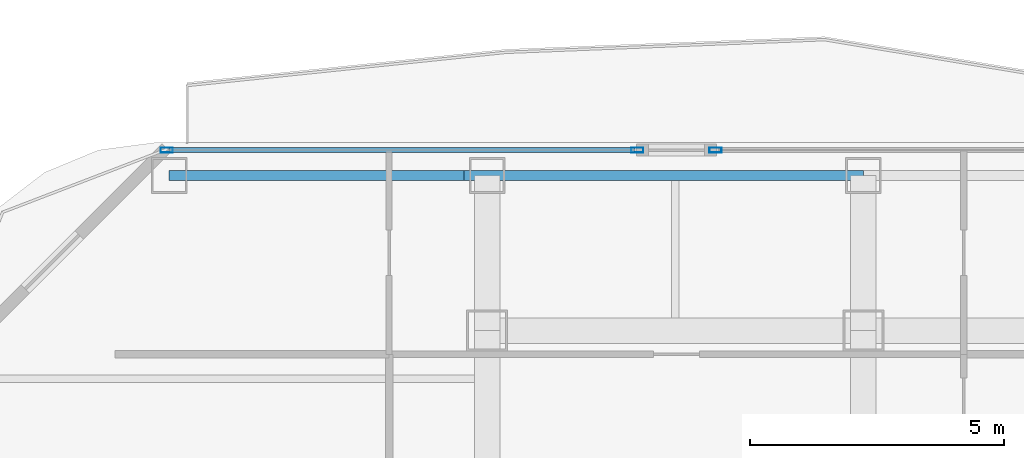
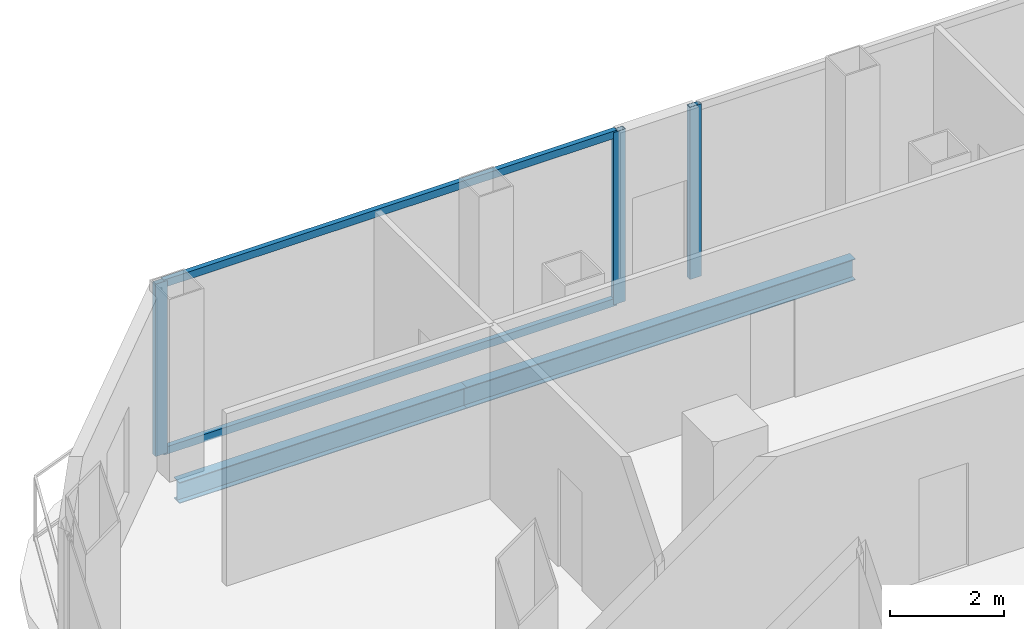
# One storey, part 13 of 27: 5 members, 2 beams, 2 elements without a shape of their own.
"""IFC4 building model written with IfcOpenShell, lengths in metres."""

from ifc_helpers import new_model, si_unit, direction, frame, origin, origin_2d, place, context, subcontext, project, spatial, hollow_rectangle, i_section, extrude, material, layer, layer_set, material_profile, profile_set, type_object, element, aggregate, save


model = new_model("IFC4")

# Units and contexts
model_context = context("Model", 3, precision=1e-05, world=origin(), true_north=direction((0.0, 1.0)))
body_context = subcontext(model_context, "Body", "Model", "MODEL_VIEW")
ifc_project = project(units=[si_unit("LENGTHUNIT", "METRE"), si_unit("AREAUNIT", "SQUARE_METRE"), si_unit("VOLUMEUNIT", "CUBIC_METRE"), si_unit("PLANEANGLEUNIT", "RADIAN"), si_unit("MASSUNIT", "GRAM", prefix="KILO")], contexts=[model_context])

# Site, building, storey
site_placement = place(None, origin())
site = spatial("IfcSite", under=ifc_project, at=site_placement, CompositionType="ELEMENT")
building_placement = place(site_placement, origin())
building = spatial("IfcBuilding", under=site, at=building_placement, Name="Khorvyn Point Tower", CompositionType="ELEMENT")
storey_placement = place(building_placement, frame((0.0, 0.0, 168.0)))
storey = spatial("IfcBuildingStorey", under=building, at=storey_placement, Name="L41", CompositionType="ELEMENT", Elevation=168.0)

# Curtain wall, members
ifc_material_1 = material(Name="Anodised aluminium 6063-T6 and laminated Low-E glass", Category="aluminium")
ifc_layer = layer(ifc_material_1, 0.18994140625)
ifc_layer_set = layer_set([ifc_layer], Name="Stick-Built Acoustic Curtain Wall CW-SYS-03")
curtain_wall_type = type_object("IfcCurtainWallType", Name="Stick-Built Acoustic Curtain Wall CW-SYS-03", PredefinedType="NOTDEFINED", material=ifc_layer_set)
curtain_wall_1_placement = place(storey_placement, origin())
curtain_wall_1 = element("IfcCurtainWall", 1, at=curtain_wall_1_placement, inside=storey, type_object=curtain_wall_type, Name="Curtain Wall", PredefinedType="NOTDEFINED")
ifc_material_2 = material(Name="Anodised aluminium 6063-T6", Category="aluminium")
ifc_material_profile_1 = material_profile(ifc_material_2, hollow_rectangle(XDim=0.10009765625, YDim=0.239990234375, WallThickness=0.0048828125, at=origin_2d()))
ifc_profile_set_1 = profile_set([ifc_material_profile_1], Name="Anodised aluminium 6063-T6 ALU-MUL-100x240")
member_type_1 = type_object("IfcMemberType", Name="Anodised Aluminium 6063-T6 Mullion ALU-MUL-100x240", PredefinedType="MULLION", material=ifc_profile_set_1)
member_1_placement = place(storey_placement, frame((-21.10009765625, 23.64990234375, 0.0), z_axis=(0.0, 0.0, 1.0), x_axis=(0.0, 1.0, 0.0)))
member_1 = element("IfcMember", 2, at=member_1_placement, type_object=member_type_1, Name="Transom", PredefinedType="MULLION", context=body_context, shape_type="SweptSolid", body=[
    extrude(hollow_rectangle(XDim=0.10009765625, YDim=0.239990234375, WallThickness=0.0048828125, at=origin_2d()), origin(), (0.0, 0.0, 1.0), 3.679931640625),
])
member_2_placement = place(storey_placement, frame((-11.846923828125, 23.64990234375, 0.0), z_axis=(0.0, 0.0, 1.0), x_axis=(0.0, 1.0, 0.0)))
member_2 = element("IfcMember", 3, at=member_2_placement, type_object=member_type_1, Name="Transom", PredefinedType="MULLION", context=body_context, shape_type="SweptSolid", body=[
    extrude(hollow_rectangle(XDim=0.10009765625, YDim=0.239990234375, WallThickness=0.0048828125, at=origin_2d()), origin(), (0.0, 0.0, 1.0), 3.679931640625),
])

# Curtain wall, member
curtain_wall_2_placement = place(storey_placement, origin())
curtain_wall_2 = element("IfcCurtainWall", 4, at=curtain_wall_2_placement, inside=storey, type_object=curtain_wall_type, Name="Curtain Wall", PredefinedType="NOTDEFINED")
member_3_placement = place(storey_placement, frame((-10.306884765625, 23.64990234375, 0.0), z_axis=(0.0, 0.0, 1.0), x_axis=(0.0, 1.0, 0.0)))
member_3 = element("IfcMember", 5, at=member_3_placement, type_object=member_type_1, Name="Transom", PredefinedType="MULLION", context=body_context, shape_type="SweptSolid", body=[
    extrude(hollow_rectangle(XDim=0.10009765625, YDim=0.239990234375, WallThickness=0.0048828125, at=origin_2d()), origin(), (0.0, 0.0, 1.0), 3.679931640625),
])
aggregate(curtain_wall_2, [member_3])

# Member
ifc_material_profile_2 = material_profile(ifc_material_2, hollow_rectangle(XDim=0.10009765625, YDim=0.159912109375, WallThickness=0.00439453125, at=origin_2d()))
ifc_profile_set_2 = profile_set([ifc_material_profile_2], Name="Anodised aluminium 6063-T6 ALU-TRN-100x160")
member_type_2 = type_object("IfcMemberType", Name="Anodised Aluminium 6063-T6 Transom ALU-TRN-100x160", PredefinedType="USERDEFINED", material=ifc_profile_set_2)
member_4_placement = place(storey_placement, frame((-21.050048828125, 23.64990234375, 0.050048828125), z_axis=(1.0, 0.0, 0.0), x_axis=(0.0, 1.0, 0.0)))
member_4 = element("IfcMember", 6, at=member_4_placement, type_object=member_type_2, Name="Transom", ObjectType="TRANSOM", PredefinedType="USERDEFINED", context=body_context, shape_type="SweptSolid", body=[
    extrude(hollow_rectangle(XDim=0.10009765625, YDim=0.159912109375, WallThickness=0.00439453125, at=origin_2d()), origin(), (0.0, 0.0, 1.0), 9.153076171875),
])

member_5_placement = place(storey_placement, frame((-21.050048828125, 23.64990234375, 3.6298828125), z_axis=(1.0, 0.0, 0.0), x_axis=(0.0, 1.0, 0.0)))
member_5 = element("IfcMember", 7, at=member_5_placement, type_object=member_type_2, Name="Transom", ObjectType="TRANSOM", PredefinedType="USERDEFINED", context=body_context, shape_type="SweptSolid", body=[
    extrude(hollow_rectangle(XDim=0.10009765625, YDim=0.159912109375, WallThickness=0.00439453125, at=origin_2d()), origin(), (0.0, 0.0, 1.0), 9.153076171875),
])

aggregate(curtain_wall_1, [member_1, member_2, member_4, member_5])

# Beams
ifc_material_3 = material(Name="Steel S355", Category="steel")
ifc_material_profile_3 = material_profile(ifc_material_3, i_section(OverallWidth=0.199951171875, OverallDepth=0.449951171875, WebThickness=0.009033203125, FlangeThickness=0.013916015625, at=origin_2d()))
ifc_profile_set_3 = profile_set([ifc_material_profile_3], Name="Steel S355 H450x200x9x14")
beam_type = type_object("IfcBeamType", Name="Steel S355 Spandrel H450x200x9x14", PredefinedType="SPANDREL", material=ifc_profile_set_3)
beam_1_placement = place(storey_placement, frame((-21.050048828125, 23.14990234375, -0.5048828125), z_axis=(1.0, 0.0, 0.0), x_axis=(0.0, 1.0, 0.0)))
element("IfcBeam", 8, at=beam_1_placement, inside=storey, type_object=beam_type, Name="Beam", PredefinedType="SPANDREL", context=body_context, shape_type="SweptSolid", body=[
    extrude(i_section(OverallWidth=0.199951171875, OverallDepth=0.449951171875, WebThickness=0.009033203125, FlangeThickness=0.013916015625, at=origin_2d()), origin(), (0.0, 0.0, 1.0), 5.800048828125),
])
beam_2_placement = place(storey_placement, frame((-15.25, 23.14990234375, -0.5048828125), z_axis=(1.0, 0.0, 0.0), x_axis=(0.0, 1.0, 0.0)))
element("IfcBeam", 9, at=beam_2_placement, inside=storey, type_object=beam_type, Name="Beam", PredefinedType="SPANDREL", context=body_context, shape_type="SweptSolid", body=[
    extrude(i_section(OverallWidth=0.199951171875, OverallDepth=0.449951171875, WebThickness=0.009033203125, FlangeThickness=0.013916015625, at=origin_2d()), origin(), (0.0, 0.0, 1.0), 7.85009765625),
])

save(model, "model.ifc")
